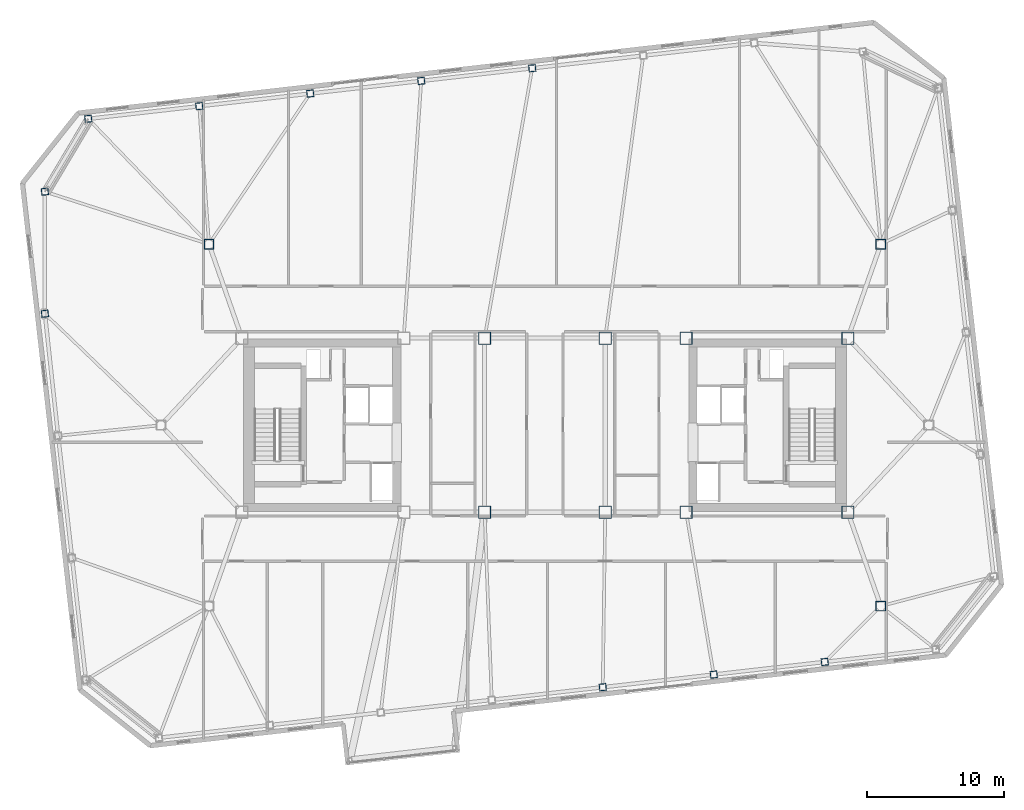
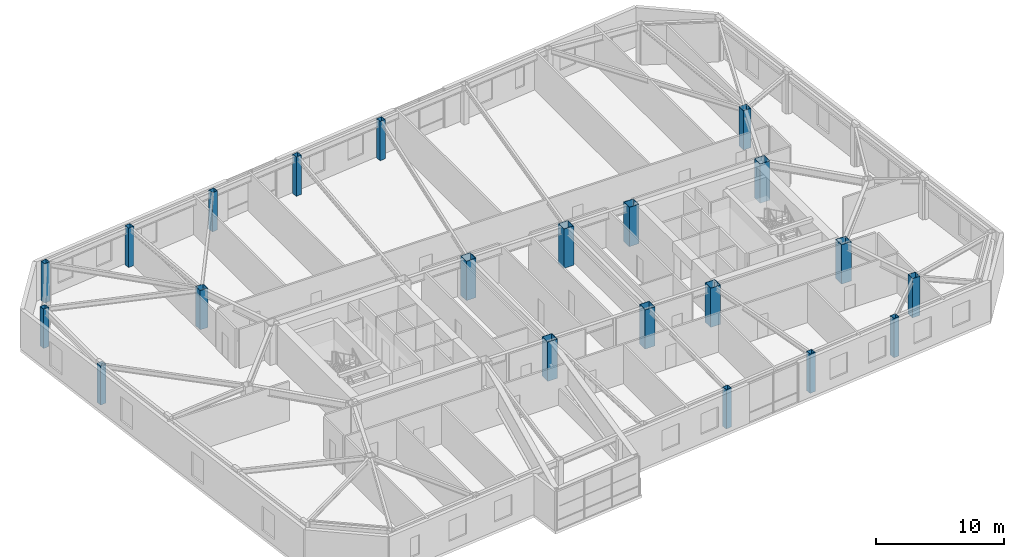
# One storey, part 2 of 19: 21 columns.
"""IFC4 building model written with IfcOpenShell, lengths in metres."""

from ifc_helpers import new_model, si_unit, direction, frame, origin, origin_2d, place, context, subcontext, project, spatial, hollow_rectangle, extrude, material, material_profile, profile_set, type_object, element, save


model = new_model("IFC4")

# Units and contexts
model_context = context("Model", 3, precision=1e-05, world=origin(), true_north=direction((0.0, 1.0)))
body_context = subcontext(model_context, "Body", "Model", "MODEL_VIEW")
ifc_project = project(units=[si_unit("LENGTHUNIT", "METRE"), si_unit("AREAUNIT", "SQUARE_METRE"), si_unit("VOLUMEUNIT", "CUBIC_METRE"), si_unit("PLANEANGLEUNIT", "RADIAN"), si_unit("MASSUNIT", "GRAM", prefix="KILO")], contexts=[model_context])

# Site, building, storey
site_placement = place(None, origin())
site = spatial("IfcSite", under=ifc_project, at=site_placement, CompositionType="ELEMENT")
building_placement = place(site_placement, origin())
building = spatial("IfcBuilding", under=site, at=building_placement, Name="Tavrogorsk Clinical Tower", CompositionType="ELEMENT")
storey_placement = place(building_placement, frame((0.0, 0.0, 218.199951171875)))
storey = spatial("IfcBuildingStorey", under=building, at=storey_placement, Name="L50", CompositionType="ELEMENT", Elevation=218.199951171875)

# Columns
ifc_material_1 = material(Name="Structural steel S440", Category="steel")
ifc_material_profile_1 = material_profile(ifc_material_1, hollow_rectangle(XDim=0.699951171875, YDim=0.699951171875, WallThickness=0.031982421875, at=origin_2d()), Name="BOX-700x700x32")
ifc_profile_set_1 = profile_set([ifc_material_profile_1], Name="Structural steel S440")
column_type_1 = type_object("IfcColumnType", Name="MegaCol_BOX700", PredefinedType="COLUMN", material=ifc_profile_set_1)
for number, where, z_axis, x_axis, name in (
    (1, (24.5, -13.199951171875, 0.0), (0.0, 0.0, 1.0), (1.0, 0.0, 0.0), "L50 Spine Pilotis Column MC-P2"),
    (2, (-24.5, 13.199951171875, 0.0), (0.0, 0.0, 1.0), (1.0, 0.0, 0.0), "L50 Spine Pilotis Column MC-P3"),
    (3, (24.5, 13.199951171875, 0.0), (0.0, 0.0, 1.0), (1.0, 0.0, 0.0), "L50 Spine Pilotis Column MC-P4"),
):
    element("IfcColumn", number, at=place(storey_placement, frame(where, z_axis=z_axis, x_axis=x_axis)), inside=storey, type_object=column_type_1, Name=name, PredefinedType="COLUMN", context=body_context, shape_type="SweptSolid", body=[
        extrude(hollow_rectangle(XDim=0.699951171875, YDim=0.699951171875, WallThickness=0.031982421875, at=origin_2d()), origin(), (0.0, 0.0, 1.0), 3.739990234375),
    ])
ifc_material_2 = material(Name="Structural steel S440", Category="steel")
ifc_material_profile_2 = material_profile(ifc_material_2, hollow_rectangle(XDim=0.89990234375, YDim=0.89990234375, WallThickness=0.0400390625, at=origin_2d()), Name="BOX-900x900x40")
ifc_profile_set_2 = profile_set([ifc_material_profile_2], Name="Structural steel S440")
column_type_2 = type_object("IfcColumnType", Name="MegaCol_BOX900", PredefinedType="COLUMN", material=ifc_profile_set_2)
for number, where, z_axis, x_axis, name in (
    (4, (10.300048828125, -6.35009765625, 0.0), (0.0, 0.0, 1.0), (1.0, 0.0, 0.0), "L50 Mega Column MC-E1"),
    (5, (10.300048828125, 6.35009765625, 0.0), (0.0, 0.0, 1.0), (1.0, 0.0, 0.0), "L50 Mega Column MC-E2"),
    (6, (22.10009765625, -6.35009765625, 0.0), (0.0, 0.0, 1.0), (1.0, 0.0, 0.0), "L50 Mega Column MC-E3"),
    (7, (22.10009765625, 6.35009765625, 0.0), (0.0, 0.0, 1.0), (1.0, 0.0, 0.0), "L50 Mega Column MC-E4"),
    (8, (-4.39990234375, -6.35009765625, 0.0), (0.0, 0.0, 1.0), (1.0, 0.0, 0.0), "L50 Mega Column MC-C1"),
    (9, (4.39990234375, -6.35009765625, 0.0), (0.0, 0.0, 1.0), (1.0, 0.0, 0.0), "L50 Mega Column MC-C2"),
    (10, (-4.39990234375, 6.35009765625, 0.0), (0.0, 0.0, 1.0), (1.0, 0.0, 0.0), "L50 Mega Column MC-C3"),
    (11, (4.39990234375, 6.35009765625, 0.0), (0.0, 0.0, 1.0), (1.0, 0.0, 0.0), "L50 Mega Column MC-C4"),
):
    element("IfcColumn", number, at=place(storey_placement, frame(where, z_axis=z_axis, x_axis=x_axis)), inside=storey, type_object=column_type_2, Name=name, PredefinedType="COLUMN", context=body_context, shape_type="SweptSolid", body=[
        extrude(hollow_rectangle(XDim=0.89990234375, YDim=0.89990234375, WallThickness=0.0400390625, at=origin_2d()), origin(), (0.0, 0.0, 1.0), 3.739990234375),
    ])
ifc_material_3 = material(Name="Structural steel S440", Category="steel")
ifc_material_profile_3 = material_profile(ifc_material_3, hollow_rectangle(XDim=0.5, YDim=0.5, WallThickness=0.02490234375, at=origin_2d()), Name="BOX-500x500x25")
ifc_profile_set_3 = profile_set([ifc_material_profile_3], Name="Structural steel S440")
column_type_3 = type_object("IfcColumnType", Name="PerimCol_B4_BOX500", PredefinedType="COLUMN", material=ifc_profile_set_3)
for number, where, z_axis, x_axis, name in (
    (12, (4.22021484375, -19.11279296875, 0.0), (0.0, 0.0, 1.0), (0.993571855677, 0.113203213768, 0.0), "L50 Perimeter Column S5"),
    (13, (12.31640625, -18.190185546875, 0.0), (0.0, 0.0, 1.0), (0.993571855677, 0.113203213768, 0.0), "L50 Perimeter Column S6"),
    (14, (20.412353515625, -17.267822265625, 0.0), (0.0, 0.0, 1.0), (0.993571855677, 0.113203213768, 0.0), "L50 Perimeter Column S7"),
    (15, (-0.923828125, 26.03515625, 0.0), (0.0, 0.0, 1.0), (0.993571855677, 0.113203213768, 0.0), "L50 Perimeter Column N4"),
    (16, (-9.02001953125, 25.11279296875, 0.0), (0.0, 0.0, 1.0), (0.993571855677, 0.113203213768, 0.0), "L50 Perimeter Column N5"),
    (17, (-17.1162109375, 24.190185546875, 0.0), (0.0, 0.0, 1.0), (0.993571855677, 0.113203213768, 0.0), "L50 Perimeter Column N6"),
    (18, (-25.21240234375, 23.267822265625, 0.0), (0.0, 0.0, 1.0), (0.993571855677, 0.113203213768, 0.0), "L50 Perimeter Column N7"),
    (19, (-33.30859375, 22.345458984375, 0.0), (0.0, 0.0, 1.0), (0.993571855677, 0.113203213768, 0.0), "L50 Perimeter Column N8"),
    (20, (-36.469970703125, 17.032958984375, 0.0), (0.0, 0.0, 1.0), (0.993571855677, 0.113203213768, 0.0), "L50 Perimeter Column W1"),
    (21, (-36.469970703125, 8.130615234375, 0.0), (0.0, 0.0, 1.0), (0.993571855677, 0.113203213768, 0.0), "L50 Perimeter Column W2"),
):
    element("IfcColumn", number, at=place(storey_placement, frame(where, z_axis=z_axis, x_axis=x_axis)), inside=storey, type_object=column_type_3, Name=name, PredefinedType="COLUMN", context=body_context, shape_type="SweptSolid", body=[
        extrude(hollow_rectangle(XDim=0.5, YDim=0.5, WallThickness=0.02490234375, at=origin_2d()), origin(), (0.0, 0.0, 1.0), 3.739990234375),
    ])

save(model, "model.ifc")
